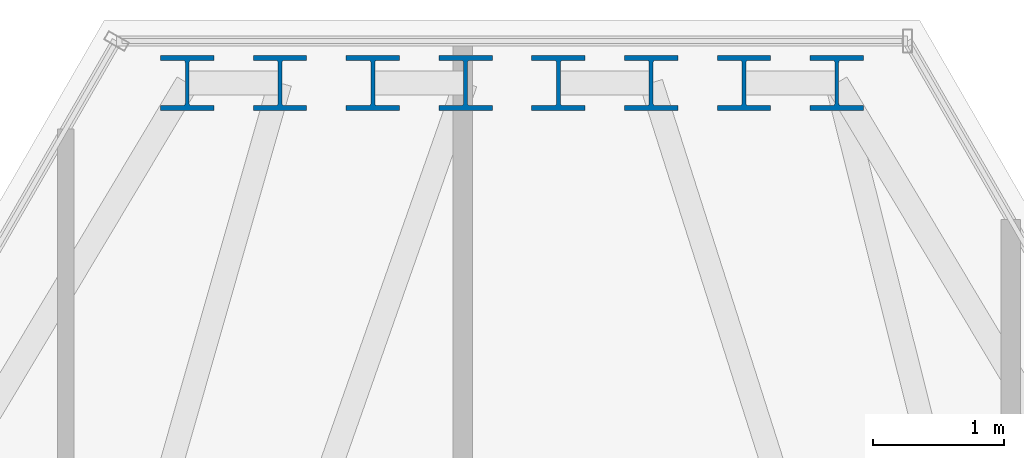
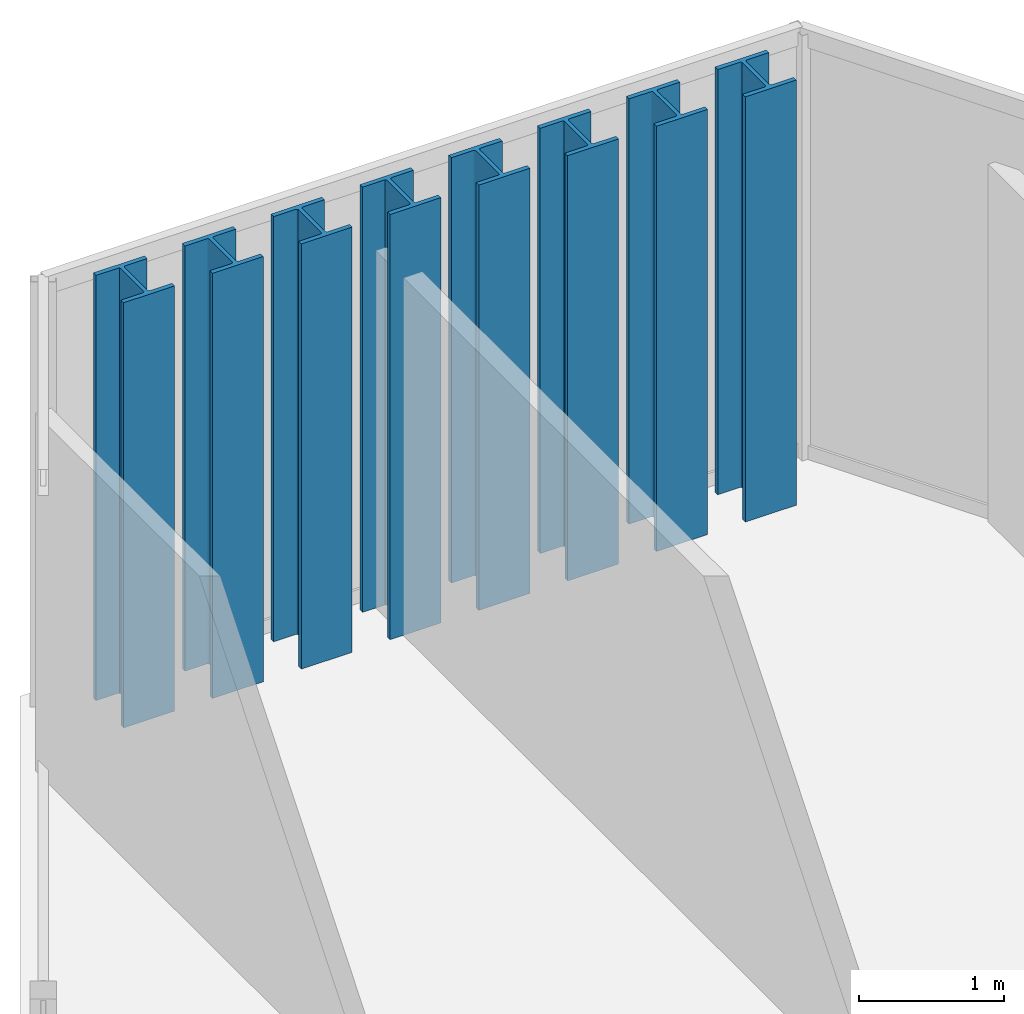
# One storey, part 2 of 32: 8 columns.
"""IFC4 building model written with IfcOpenShell, lengths in metres."""

from ifc_helpers import new_model, si_unit, direction, frame, origin, origin_2d, place, context, subcontext, project, spatial, i_section, extrude, material, material_profile, profile_set, type_object, element, save


model = new_model("IFC4")

# Units and contexts
model_context = context("Model", 3, precision=1e-05, world=origin(), true_north=direction((0.0, 1.0)))
body_context = subcontext(model_context, "Body", "Model", "MODEL_VIEW")
ifc_project = project(units=[si_unit("LENGTHUNIT", "METRE"), si_unit("AREAUNIT", "SQUARE_METRE"), si_unit("VOLUMEUNIT", "CUBIC_METRE"), si_unit("PLANEANGLEUNIT", "RADIAN"), si_unit("MASSUNIT", "GRAM", prefix="KILO")], contexts=[model_context])

# Site, building, storey
site_placement = place(None, origin())
site = spatial("IfcSite", under=ifc_project, at=site_placement, CompositionType="ELEMENT")
building_placement = place(site_placement, origin())
building = spatial("IfcBuilding", under=site, at=building_placement, Name="Ndaravel Arena Tower", CompositionType="ELEMENT")
storey_placement = place(building_placement, frame((0.0, 0.0, 256.0)))
storey = spatial("IfcBuildingStorey", under=building, at=storey_placement, Name="L62", CompositionType="ELEMENT", Elevation=256.0)

# Columns
ifc_material = material(Name="Steel S355", Category="steel")
ifc_material_profile = material_profile(ifc_material, i_section(OverallWidth=0.406005859375, OverallDepth=0.416015625, WebThickness=0.02978515625, FlangeThickness=0.03662109375, FilletRadius=0.014892578125, at=origin_2d()), Name="HD 400x382")
ifc_profile_set = profile_set([ifc_material_profile], Name="Steel S355")
column_type = type_object("IfcColumnType", Name="COL-TUBE-HD382", PredefinedType="COLUMN", material=ifc_profile_set)
for number, where, z_axis, x_axis, name in (
    (1, (44.475341796875, 44.359619140625, 0.0), (0.0, 0.0, 1.0), (1.0, 0.0, 0.0), "L62 Framed Tube Column TC-11"),
    (2, (43.76806640625, 44.359619140625, 0.0), (0.0, 0.0, 1.0), (1.0, 0.0, 0.0), "L62 Framed Tube Column TC-12"),
    (3, (43.060791015625, 44.359619140625, 0.0), (0.0, 0.0, 1.0), (1.0, 0.0, 0.0), "L62 Framed Tube Column TC-13"),
    (4, (42.353515625, 44.359619140625, 0.0), (0.0, 0.0, 1.0), (1.0, 0.0, 0.0), "L62 Framed Tube Column TC-14"),
    (5, (41.646484375, 44.359619140625, 0.0), (0.0, 0.0, 1.0), (1.0, 0.0, 0.0), "L62 Framed Tube Column TC-15"),
    (6, (40.939208984375, 44.359619140625, 0.0), (0.0, 0.0, 1.0), (1.0, 0.0, 0.0), "L62 Framed Tube Column TC-16"),
    (7, (40.23193359375, 44.359619140625, 0.0), (0.0, 0.0, 1.0), (1.0, 0.0, 0.0), "L62 Framed Tube Column TC-17"),
    (8, (39.524658203125, 44.359619140625, 0.0), (0.0, 0.0, 1.0), (1.0, 0.0, 0.0), "L62 Framed Tube Column TC-18"),
):
    element("IfcColumn", number, at=place(storey_placement, frame(where, z_axis=z_axis, x_axis=x_axis)), inside=storey, type_object=column_type, Name=name, PredefinedType="COLUMN", context=body_context, shape_type="SweptSolid", body=[
        extrude(i_section(OverallWidth=0.406005859375, OverallDepth=0.416015625, WebThickness=0.02978515625, FlangeThickness=0.03662109375, FilletRadius=0.014892578125, at=origin_2d()), origin(), (0.0, 0.0, 1.0), 3.580078125),
    ])

save(model, "model.ifc")
